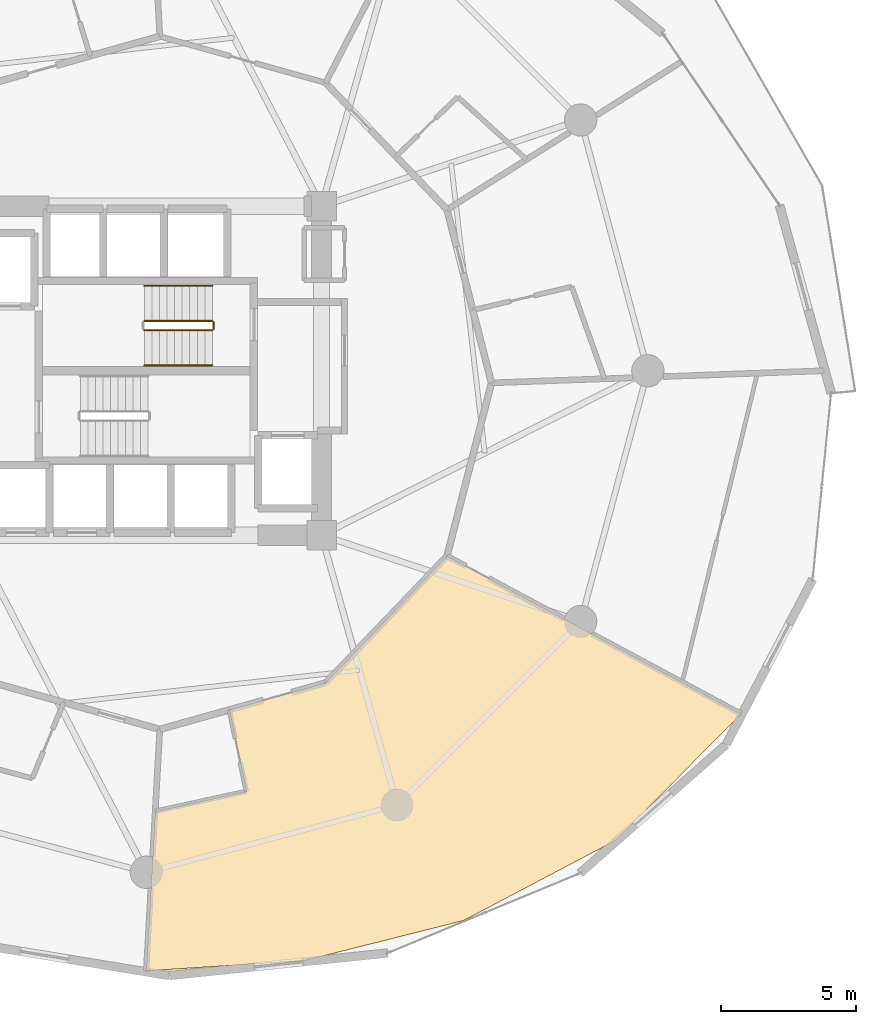
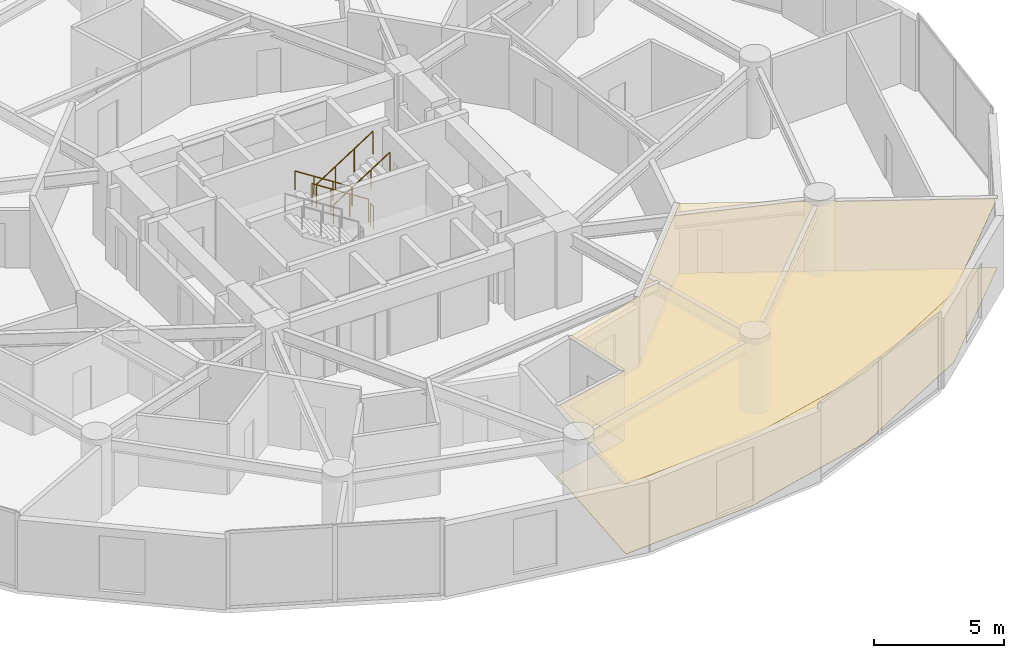
# One storey, part 25 of 26: 5 railings, 2 coverings.
"""IFC4 building model written with IfcOpenShell, lengths in metres."""

from ifc_helpers import new_model, si_unit, direction, frame, origin, origin_2d, place, context, subcontext, project, spatial, polyline, circle, outline, extrude, material, layer, layer_set, type_object, element, save


model = new_model("IFC4")

# Units and contexts
model_context = context("Model", 3, precision=1e-05, world=origin(), true_north=direction((0.0, 1.0)))
body_context = subcontext(model_context, "Body", "Model", "MODEL_VIEW")
ifc_project = project(units=[si_unit("LENGTHUNIT", "METRE"), si_unit("AREAUNIT", "SQUARE_METRE"), si_unit("VOLUMEUNIT", "CUBIC_METRE"), si_unit("PLANEANGLEUNIT", "RADIAN"), si_unit("MASSUNIT", "GRAM", prefix="KILO")], contexts=[model_context])

# Site, building, storey
site_placement = place(None, origin())
site = spatial("IfcSite", under=ifc_project, at=site_placement, CompositionType="ELEMENT")
building_placement = place(site_placement, origin())
building = spatial("IfcBuilding", under=site, at=building_placement, Name="Solvirekh Grand Hotel", CompositionType="ELEMENT")
storey_placement = place(building_placement, frame((0.0, 0.0, 64.39990234375)))
storey = spatial("IfcBuildingStorey", under=building, at=storey_placement, Name="L15", CompositionType="ELEMENT", Elevation=64.39990234375)

# Coverings
ifc_material_1 = material(Name="Acoustic Mineral Ceiling Tile")
ifc_layer_1 = layer(ifc_material_1, 0.02490234375)
ifc_layer_set_1 = layer_set([ifc_layer_1], Name="Acoustic Mineral Ceiling Tile")
covering_type_1 = type_object("IfcCoveringType", Name="Cov_Ceiling_Acoustic", PredefinedType="CEILING", material=ifc_layer_set_1)
covering_1_placement = place(storey_placement, frame((0.0, 0.0, 3.2900390625)))
element("IfcCovering", 1, at=covering_1_placement, inside=storey, type_object=covering_type_1, Name="L15 Diplomatic Suite 1705 Living Room acoustic ceiling", PredefinedType="CEILING", context=body_context, shape_type="SweptSolid", body=[
    extrude(outline(polyline([(3.716064453125, -15.60107421875), (0.330078125, -16.344970703125), (0.0, -22.257080078125), (5.862060546875, -21.8779296875), (11.77099609375, -20.387939453125), (17.4140625, -17.4140625), (22.054931640625, -12.73291015625), (11.152099609375, -6.875), (6.64990234375, -11.577880859375), (3.0830078125, -12.576904296875), (3.716064453125, -15.60107421875)])), origin(), (0.0, 0.0, 1.0), 0.01806640625),
])
ifc_material_2 = material(Name="Porcelain Stoneware Flooring", Category="masonry")
ifc_layer_2 = layer(ifc_material_2, 0.030029296875)
ifc_layer_set_2 = layer_set([ifc_layer_2], Name="Porcelain Stoneware Flooring")
covering_type_2 = type_object("IfcCoveringType", Name="Cov_Floor_Stone", PredefinedType="FLOORING", material=ifc_layer_set_2)
covering_2_placement = place(storey_placement, origin())
element("IfcCovering", 2, at=covering_2_placement, inside=storey, type_object=covering_type_2, Name="L15 Diplomatic Suite 1705 Living Room polished granite flooring", PredefinedType="FLOORING", context=body_context, shape_type="SweptSolid", body=[
    extrude(outline(polyline([(3.716064453125, -15.60107421875), (0.330078125, -16.344970703125), (0.0, -22.257080078125), (5.862060546875, -21.8779296875), (11.77099609375, -20.387939453125), (17.4140625, -17.4140625), (22.054931640625, -12.73291015625), (11.152099609375, -6.875), (6.64990234375, -11.577880859375), (3.0830078125, -12.576904296875), (3.716064453125, -15.60107421875)])), origin(), (0.0, 0.0, 1.0), 0.02001953125),
])

# Railings
ifc_material_3 = material(Name="Steel S355", Category="steel")
railing_type_1 = type_object("IfcRailingType", Name="Guard_Stair_1100", PredefinedType="GUARDRAIL", material=ifc_material_3)
railing_1_placement = place(storey_placement, frame((2.449951171875, 1.85009765625, 0.18017578125)))
element("IfcRailing", 3, at=railing_1_placement, inside=storey, type_object=railing_type_1, Name="L15 ST-2 stair guard 1", PredefinedType="GUARDRAIL", context=body_context, shape_type="SweptSolid", body=[
    extrude(circle(Radius=0.02392578125, at=origin_2d()), frame((0.0, 0.0, 1.076171875), z_axis=(-0.841199657755, 0.0, 0.540724639528), x_axis=(0.0, -1.0, 0.0)), (0.0, 0.0, 1.0), 2.995849609375),
    extrude(circle(Radius=0.02099609375, at=origin_2d()), origin(), (0.0, 0.0, 1.0), 1.052001953125),
    extrude(circle(Radius=0.02099609375, at=origin_2d()), frame((-0.840087890625, 0.0, 0.5400390625)), (0.0, 0.0, 1.0), 1.052001953125),
    extrude(circle(Radius=0.02099609375, at=origin_2d()), frame((-1.679931640625, 0.0, 1.079833984375)), (0.0, 0.0, 1.0), 1.052001953125),
    extrude(circle(Radius=0.02099609375, at=origin_2d()), frame((-2.52001953125, 0.0, 1.619873046875)), (0.0, 0.0, 1.0), 1.052001953125),
])
railing_2_placement = place(storey_placement, frame((-0.070068359375, 1.5, 1.97998046875)))
element("IfcRailing", 4, at=railing_2_placement, inside=storey, type_object=railing_type_1, Name="L15 ST-2 stair guard 3", PredefinedType="GUARDRAIL", context=body_context, shape_type="SweptSolid", body=[
    extrude(circle(Radius=0.02392578125, at=origin_2d()), frame((0.0, 0.0, 1.076171875), z_axis=(0.841162588446, 0.0, 0.540782303519), x_axis=(0.0, 1.0, 0.0)), (0.0, 0.0, 1.0), 2.995849609375),
    extrude(circle(Radius=0.02099609375, at=origin_2d()), origin(), (0.0, 0.0, 1.0), 1.052001953125),
    extrude(circle(Radius=0.02099609375, at=origin_2d()), frame((0.840087890625, 0.0, 0.5400390625)), (0.0, 0.0, 1.0), 1.052001953125),
    extrude(circle(Radius=0.02099609375, at=origin_2d()), frame((1.679931640625, 0.0, 1.080078125)), (0.0, 0.0, 1.0), 1.052001953125),
    extrude(circle(Radius=0.02099609375, at=origin_2d()), frame((2.52001953125, 0.0, 1.6201171875)), (0.0, 0.0, 1.0), 1.052001953125),
])
railing_3_placement = place(storey_placement, frame((2.5, 1.800048828125, 0.0)))
element("IfcRailing", 5, at=railing_3_placement, inside=storey, type_object=railing_type_1, Name="L15 ST-2 stair guard 4", PredefinedType="GUARDRAIL", context=body_context, shape_type="SweptSolid", body=[
    extrude(circle(Radius=0.02392578125, at=origin_2d()), frame((0.0, 0.0, 1.076171875), z_axis=(0.0, -1.0, 0.0), x_axis=(1.0, 0.0, 0.0)), (0.0, 0.0, 1.0), 0.25),
    extrude(circle(Radius=0.02099609375, at=origin_2d()), origin(), (0.0, 0.0, 1.0), 1.052001953125),
    extrude(circle(Radius=0.02099609375, at=origin_2d()), frame((0.0, -0.25, 0.0)), (0.0, 0.0, 1.0), 1.052001953125),
])
ifc_material_4 = material(Name="Anodized Bronze Aluminium 6063-T6", Category="aluminium")
railing_type_2 = type_object("IfcRailingType", Name="Handrail_Wall_900", PredefinedType="HANDRAIL", material=ifc_material_4)
railing_4_placement = place(storey_placement, frame((2.449951171875, 3.14990234375, 0.18017578125)))
element("IfcRailing", 6, at=railing_4_placement, inside=storey, type_object=railing_type_2, Name="L15 ST-2 stair handrail 1", PredefinedType="HANDRAIL", context=body_context, shape_type="SweptSolid", body=[
    extrude(circle(Radius=0.02392578125, at=origin_2d()), frame((0.0, 0.0, 0.8759765625), z_axis=(-0.841199657755, 0.0, 0.540724639528), x_axis=(0.0, -1.0, 0.0)), (0.0, 0.0, 1.0), 2.995849609375),
    extrude(circle(Radius=0.02099609375, at=origin_2d()), origin(), (0.0, 0.0, 1.0), 0.851806640625),
    extrude(circle(Radius=0.02099609375, at=origin_2d()), frame((-0.840087890625, 0.0, 0.5400390625)), (0.0, 0.0, 1.0), 0.851806640625),
    extrude(circle(Radius=0.02099609375, at=origin_2d()), frame((-1.679931640625, 0.0, 1.079833984375)), (0.0, 0.0, 1.0), 0.851806640625),
    extrude(circle(Radius=0.02099609375, at=origin_2d()), frame((-2.52001953125, 0.0, 1.619873046875)), (0.0, 0.0, 1.0), 0.851806640625),
])
railing_5_placement = place(storey_placement, frame((-0.070068359375, 0.199951171875, 1.97998046875)))
element("IfcRailing", 7, at=railing_5_placement, inside=storey, type_object=railing_type_2, Name="L15 ST-2 stair handrail 2", PredefinedType="HANDRAIL", context=body_context, shape_type="SweptSolid", body=[
    extrude(circle(Radius=0.02392578125, at=origin_2d()), frame((0.0, 0.0, 0.8759765625), z_axis=(0.841162588446, 0.0, 0.540782303519), x_axis=(0.0, 1.0, 0.0)), (0.0, 0.0, 1.0), 2.995849609375),
    extrude(circle(Radius=0.02099609375, at=origin_2d()), origin(), (0.0, 0.0, 1.0), 0.851806640625),
    extrude(circle(Radius=0.02099609375, at=origin_2d()), frame((0.840087890625, 0.0, 0.5400390625)), (0.0, 0.0, 1.0), 0.851806640625),
    extrude(circle(Radius=0.02099609375, at=origin_2d()), frame((1.679931640625, 0.0, 1.080078125)), (0.0, 0.0, 1.0), 0.851806640625),
    extrude(circle(Radius=0.02099609375, at=origin_2d()), frame((2.52001953125, 0.0, 1.6201171875)), (0.0, 0.0, 1.0), 0.851806640625),
])

save(model, "model.ifc")
